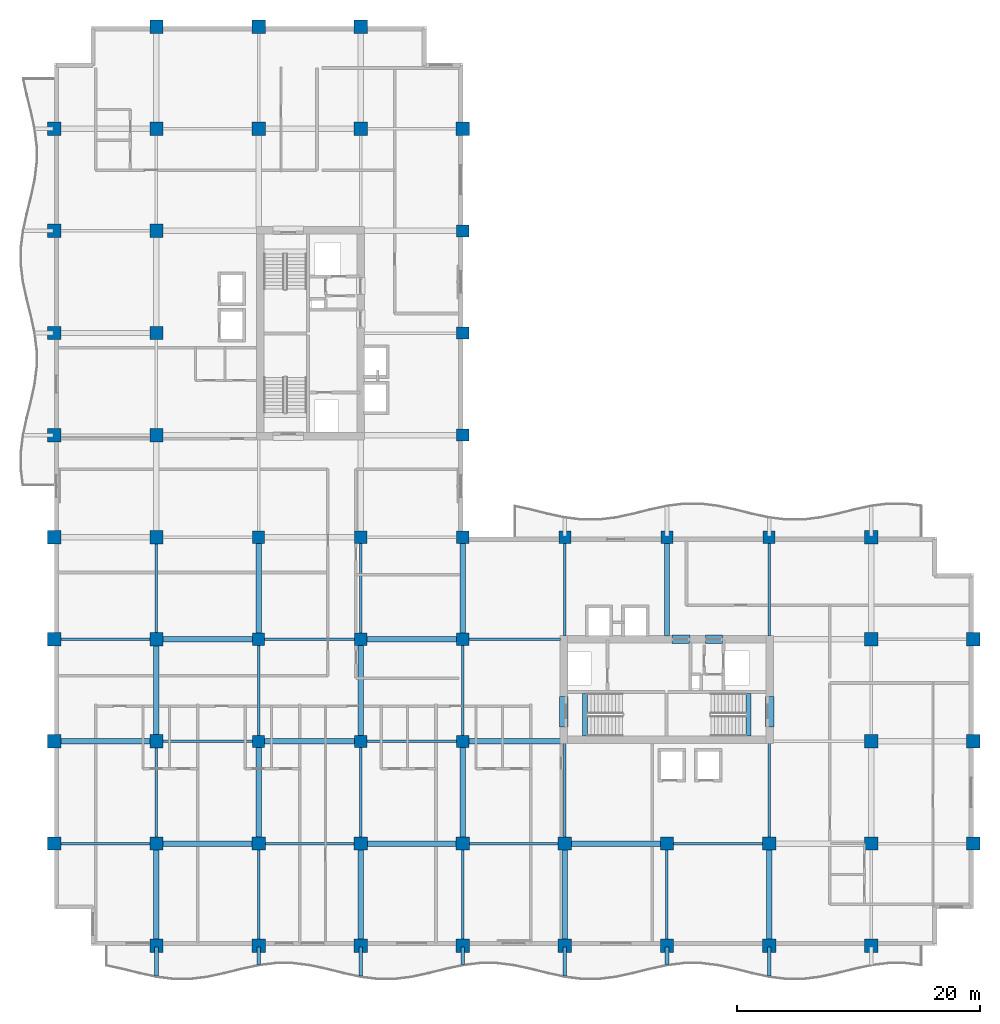
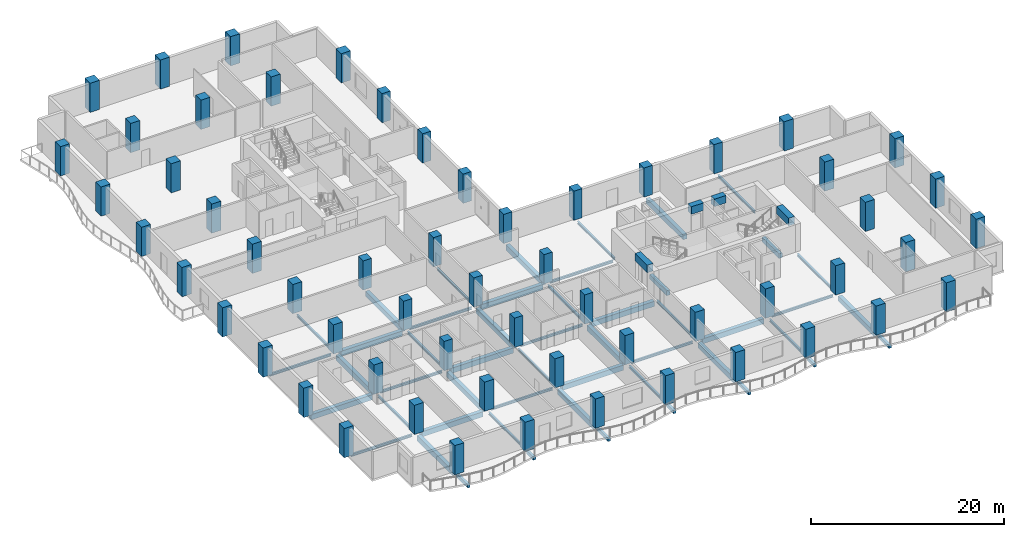
# One storey, part 1 of 14: 58 columns, 54 beams.
"""IFC4 building model written with IfcOpenShell, lengths in metres."""

from ifc_helpers import new_model, si_unit, direction, frame, origin, origin_2d, place, context, subcontext, project, spatial, rectangle, i_section, extrude, material, material_profile, profile_set, type_object, element, save


model = new_model("IFC4")

# Units and contexts
model_context = context("Model", 3, precision=1e-05, world=origin(), true_north=direction((0.0, 1.0)))
body_context = subcontext(model_context, "Body", "Model", "MODEL_VIEW")
ifc_project = project(units=[si_unit("LENGTHUNIT", "METRE"), si_unit("AREAUNIT", "SQUARE_METRE"), si_unit("VOLUMEUNIT", "CUBIC_METRE"), si_unit("PLANEANGLEUNIT", "RADIAN"), si_unit("MASSUNIT", "GRAM", prefix="KILO")], contexts=[model_context])

# Site, building, storey
site_placement = place(None, origin())
site = spatial("IfcSite", under=ifc_project, at=site_placement, CompositionType="ELEMENT")
building_placement = place(site_placement, origin())
building = spatial("IfcBuilding", under=site, at=building_placement, Name="Koriwani Terraces Tower", CompositionType="ELEMENT")
storey_placement = place(building_placement, frame((0.0, 0.0, 201.300048828125)))
storey = spatial("IfcBuildingStorey", under=building, at=storey_placement, Name="L49", CompositionType="ELEMENT", Elevation=201.300048828125)

# Columns
ifc_material_1 = material(Name="Concrete C50/60", Category="concrete")
ifc_material_profile_1 = material_profile(ifc_material_1, rectangle(XDim=1.0, YDim=1.0, at=origin_2d()), Name="Concrete C50/60", Category="LoadBearing")
ifc_profile_set_1 = profile_set([ifc_material_profile_1], Name="Concrete C50/60")
column_type_1 = type_object("IfcColumnType", Name="COL_RC_1000X1000", PredefinedType="COLUMN", material=ifc_profile_set_1)
for number, where, z_axis, x_axis, name in (
    (1, (16.800048828125, 16.800048828125, 0.0), (0.0, 0.0, 1.0), (1.0, 0.0, 0.0), "L49 Column 3/C"),
    (2, (16.800048828125, 25.199951171875, 0.0), (0.0, 0.0, 1.0), (1.0, 0.0, 0.0), "L49 Column 3/D"),
    (3, (16.800048828125, 33.60009765625, 0.0), (0.0, 0.0, 1.0), (1.0, 0.0, 0.0), "L49 Column 3/E"),
    (4, (25.199951171875, 16.800048828125, 0.0), (0.0, 0.0, 1.0), (1.0, 0.0, 0.0), "L49 Column 4/C"),
    (5, (25.199951171875, 25.199951171875, 0.0), (0.0, 0.0, 1.0), (1.0, 0.0, 0.0), "L49 Column 4/D"),
    (6, (25.199951171875, 33.60009765625, 0.0), (0.0, 0.0, 1.0), (1.0, 0.0, 0.0), "L49 Column 4/E"),
    (7, (33.60009765625, 16.800048828125, 0.0), (0.0, 0.0, 1.0), (1.0, 0.0, 0.0), "L49 Column 5/C"),
    (8, (33.60009765625, 25.199951171875, 0.0), (0.0, 0.0, 1.0), (1.0, 0.0, 0.0), "L49 Column 5/D"),
    (9, (33.60009765625, 33.60009765625, 0.0), (0.0, 0.0, 1.0), (1.0, 0.0, 0.0), "L49 Column 5/E"),
    (10, (33.60009765625, 42.0, 0.0), (0.0, 0.0, 1.0), (1.0, 0.0, 0.0), "L49 Column 5/F"),
    (11, (33.60009765625, 50.39990234375, 0.0), (0.0, 0.0, 1.0), (1.0, 0.0, 0.0), "L49 Column 5/G"),
    (12, (33.60009765625, 58.800048828125, 0.0), (0.0, 0.0, 1.0), (1.0, 0.0, 0.0), "L49 Column 5/H"),
    (13, (42.0, 33.60009765625, 0.0), (0.0, 0.0, 1.0), (1.0, 0.0, 0.0), "L49 Column 6/E"),
    (14, (50.39990234375, 33.60009765625, 0.0), (0.0, 0.0, 1.0), (1.0, 0.0, 0.0), "L49 Column 7/E"),
    (15, (58.800048828125, 33.60009765625, 0.0), (0.0, 0.0, 1.0), (1.0, 0.0, 0.0), "L49 Column 8/E"),
):
    element("IfcColumn", number, at=place(storey_placement, frame(where, z_axis=z_axis, x_axis=x_axis)), inside=storey, type_object=column_type_1, Name=name, PredefinedType="COLUMN", context=body_context, shape_type="SweptSolid", body=[
        extrude(rectangle(XDim=1.0, YDim=1.0, at=origin_2d()), origin(), (0.0, 0.0, 1.0), 3.699951171875),
    ])
ifc_material_profile_2 = material_profile(ifc_material_1, rectangle(XDim=1.10009765625, YDim=1.10009765625, at=origin_2d()), Name="Concrete C50/60", Category="LoadBearing")
ifc_profile_set_2 = profile_set([ifc_material_profile_2], Name="Concrete C50/60")
column_type_2 = type_object("IfcColumnType", Name="COL_RC_1100X1100", PredefinedType="COLUMN", material=ifc_profile_set_2)
for number, where, z_axis, x_axis, name in (
    (16, (0.0, 8.39990234375, 0.0), (0.0, 0.0, 1.0), (1.0, 0.0, 0.0), "L49 Column 1/B"),
    (17, (0.0, 16.800048828125, 0.0), (0.0, 0.0, 1.0), (1.0, 0.0, 0.0), "L49 Column 1/C"),
    (18, (0.0, 25.199951171875, 0.0), (0.0, 0.0, 1.0), (1.0, 0.0, 0.0), "L49 Column 1/D"),
    (19, (0.0, 33.60009765625, 0.0), (0.0, 0.0, 1.0), (1.0, 0.0, 0.0), "L49 Column 1/E"),
    (20, (0.0, 42.0, 0.0), (0.0, 0.0, 1.0), (1.0, 0.0, 0.0), "L49 Column 1/F"),
    (21, (0.0, 50.39990234375, 0.0), (0.0, 0.0, 1.0), (1.0, 0.0, 0.0), "L49 Column 1/G"),
    (22, (0.0, 58.800048828125, 0.0), (0.0, 0.0, 1.0), (1.0, 0.0, 0.0), "L49 Column 1/H"),
    (23, (0.0, 67.199951171875, 0.0), (0.0, 0.0, 1.0), (1.0, 0.0, 0.0), "L49 Column 1/I"),
    (24, (8.39990234375, 0.0, 0.0), (0.0, 0.0, 1.0), (1.0, 0.0, 0.0), "L49 Column 2/A"),
    (25, (8.39990234375, 8.39990234375, 0.0), (0.0, 0.0, 1.0), (1.0, 0.0, 0.0), "L49 Column 2/B"),
    (26, (8.39990234375, 16.800048828125, 0.0), (0.0, 0.0, 1.0), (1.0, 0.0, 0.0), "L49 Column 2/C"),
    (27, (8.39990234375, 25.199951171875, 0.0), (0.0, 0.0, 1.0), (1.0, 0.0, 0.0), "L49 Column 2/D"),
    (28, (8.39990234375, 33.60009765625, 0.0), (0.0, 0.0, 1.0), (1.0, 0.0, 0.0), "L49 Column 2/E"),
    (29, (8.39990234375, 42.0, 0.0), (0.0, 0.0, 1.0), (1.0, 0.0, 0.0), "L49 Column 2/F"),
    (30, (8.39990234375, 50.39990234375, 0.0), (0.0, 0.0, 1.0), (1.0, 0.0, 0.0), "L49 Column 2/G"),
    (31, (8.39990234375, 58.800048828125, 0.0), (0.0, 0.0, 1.0), (1.0, 0.0, 0.0), "L49 Column 2/H"),
    (32, (8.39990234375, 67.199951171875, 0.0), (0.0, 0.0, 1.0), (1.0, 0.0, 0.0), "L49 Column 2/I"),
    (33, (8.39990234375, 75.60009765625, 0.0), (0.0, 0.0, 1.0), (1.0, 0.0, 0.0), "L49 Column 2/J"),
    (34, (16.800048828125, 0.0, 0.0), (0.0, 0.0, 1.0), (1.0, 0.0, 0.0), "L49 Column 3/A"),
    (35, (16.800048828125, 8.39990234375, 0.0), (0.0, 0.0, 1.0), (1.0, 0.0, 0.0), "L49 Column 3/B"),
    (36, (16.800048828125, 67.199951171875, 0.0), (0.0, 0.0, 1.0), (1.0, 0.0, 0.0), "L49 Column 3/I"),
    (37, (16.800048828125, 75.60009765625, 0.0), (0.0, 0.0, 1.0), (1.0, 0.0, 0.0), "L49 Column 3/J"),
    (38, (25.199951171875, 0.0, 0.0), (0.0, 0.0, 1.0), (1.0, 0.0, 0.0), "L49 Column 4/A"),
    (39, (25.199951171875, 8.39990234375, 0.0), (0.0, 0.0, 1.0), (1.0, 0.0, 0.0), "L49 Column 4/B"),
    (40, (25.199951171875, 67.199951171875, 0.0), (0.0, 0.0, 1.0), (1.0, 0.0, 0.0), "L49 Column 4/I"),
    (41, (25.199951171875, 75.60009765625, 0.0), (0.0, 0.0, 1.0), (1.0, 0.0, 0.0), "L49 Column 4/J"),
    (42, (33.60009765625, 0.0, 0.0), (0.0, 0.0, 1.0), (1.0, 0.0, 0.0), "L49 Column 5/A"),
    (43, (33.60009765625, 8.39990234375, 0.0), (0.0, 0.0, 1.0), (1.0, 0.0, 0.0), "L49 Column 5/B"),
    (44, (33.60009765625, 67.199951171875, 0.0), (0.0, 0.0, 1.0), (1.0, 0.0, 0.0), "L49 Column 5/I"),
    (45, (42.0, 0.0, 0.0), (0.0, 0.0, 1.0), (1.0, 0.0, 0.0), "L49 Column 6/A"),
    (46, (42.0, 8.39990234375, 0.0), (0.0, 0.0, 1.0), (1.0, 0.0, 0.0), "L49 Column 6/B"),
    (47, (50.39990234375, 0.0, 0.0), (0.0, 0.0, 1.0), (1.0, 0.0, 0.0), "L49 Column 7/A"),
    (48, (50.39990234375, 8.39990234375, 0.0), (0.0, 0.0, 1.0), (1.0, 0.0, 0.0), "L49 Column 7/B"),
    (49, (58.800048828125, 0.0, 0.0), (0.0, 0.0, 1.0), (1.0, 0.0, 0.0), "L49 Column 8/A"),
    (50, (58.800048828125, 8.39990234375, 0.0), (0.0, 0.0, 1.0), (1.0, 0.0, 0.0), "L49 Column 8/B"),
    (51, (67.199951171875, 0.0, 0.0), (0.0, 0.0, 1.0), (1.0, 0.0, 0.0), "L49 Column 9/A"),
    (52, (67.199951171875, 8.39990234375, 0.0), (0.0, 0.0, 1.0), (1.0, 0.0, 0.0), "L49 Column 9/B"),
    (53, (67.199951171875, 16.800048828125, 0.0), (0.0, 0.0, 1.0), (1.0, 0.0, 0.0), "L49 Column 9/C"),
    (54, (67.199951171875, 25.199951171875, 0.0), (0.0, 0.0, 1.0), (1.0, 0.0, 0.0), "L49 Column 9/D"),
    (55, (67.199951171875, 33.60009765625, 0.0), (0.0, 0.0, 1.0), (1.0, 0.0, 0.0), "L49 Column 9/E"),
    (56, (75.60009765625, 8.39990234375, 0.0), (0.0, 0.0, 1.0), (1.0, 0.0, 0.0), "L49 Column 10/B"),
    (57, (75.60009765625, 16.800048828125, 0.0), (0.0, 0.0, 1.0), (1.0, 0.0, 0.0), "L49 Column 10/C"),
    (58, (75.60009765625, 25.199951171875, 0.0), (0.0, 0.0, 1.0), (1.0, 0.0, 0.0), "L49 Column 10/D"),
):
    element("IfcColumn", number, at=place(storey_placement, frame(where, z_axis=z_axis, x_axis=x_axis)), inside=storey, type_object=column_type_2, Name=name, PredefinedType="COLUMN", context=body_context, shape_type="SweptSolid", body=[
        extrude(rectangle(XDim=1.10009765625, YDim=1.10009765625, at=origin_2d()), origin(), (0.0, 0.0, 1.0), 3.699951171875),
    ])

# Beams
ifc_material_2 = material(Name="Concrete C40/50", Category="concrete")
ifc_material_profile_3 = material_profile(ifc_material_2, rectangle(XDim=0.300048828125, YDim=0.39990234375, at=origin_2d()), Name="Concrete C40/50", Category="LoadBearing")
ifc_profile_set_3 = profile_set([ifc_material_profile_3], Name="Concrete C40/50")
beam_type_1 = type_object("IfcBeamType", Name="BEAM_RC_BALCONY_RIB_300X400", PredefinedType="JOIST", material=ifc_profile_set_3)
beam_1_placement = place(storey_placement, frame((8.39990234375, -2.502197265625, -0.429931640625), z_axis=(0.0, 1.0, 0.0), x_axis=(-1.0, 0.0, 0.0)))
element("IfcBeam", 59, at=beam_1_placement, inside=storey, type_object=beam_type_1, Name="L49 Balcony Bracket Rib S-1", PredefinedType="JOIST", context=body_context, shape_type="SweptSolid", body=[
    extrude(rectangle(XDim=0.300048828125, YDim=0.39990234375, at=origin_2d()), origin(), (0.0, 0.0, 1.0), 2.402099609375),
])
beam_2_placement = place(storey_placement, frame((16.800048828125, -1.547607421875, -0.429931640625), z_axis=(0.0, 1.0, 0.0), x_axis=(-1.0, 0.0, 0.0)))
element("IfcBeam", 60, at=beam_2_placement, inside=storey, type_object=beam_type_1, Name="L49 Balcony Bracket Rib S-2", PredefinedType="JOIST", context=body_context, shape_type="SweptSolid", body=[
    extrude(rectangle(XDim=0.300048828125, YDim=0.39990234375, at=origin_2d()), origin(), (0.0, 0.0, 1.0), 1.447509765625),
])
beam_3_placement = place(storey_placement, frame((25.199951171875, -2.502197265625, -0.429931640625), z_axis=(0.0, 1.0, 0.0), x_axis=(-1.0, 0.0, 0.0)))
element("IfcBeam", 61, at=beam_3_placement, inside=storey, type_object=beam_type_1, Name="L49 Balcony Bracket Rib S-3", PredefinedType="JOIST", context=body_context, shape_type="SweptSolid", body=[
    extrude(rectangle(XDim=0.300048828125, YDim=0.39990234375, at=origin_2d()), origin(), (0.0, 0.0, 1.0), 2.402099609375),
])
beam_4_placement = place(storey_placement, frame((33.60009765625, -1.547607421875, -0.429931640625), z_axis=(0.0, 1.0, 0.0), x_axis=(-1.0, 0.0, 0.0)))
element("IfcBeam", 62, at=beam_4_placement, inside=storey, type_object=beam_type_1, Name="L49 Balcony Bracket Rib S-4", PredefinedType="JOIST", context=body_context, shape_type="SweptSolid", body=[
    extrude(rectangle(XDim=0.300048828125, YDim=0.39990234375, at=origin_2d()), origin(), (0.0, 0.0, 1.0), 1.447509765625),
])
beam_5_placement = place(storey_placement, frame((42.0, -2.502197265625, -0.429931640625), z_axis=(0.0, 1.0, 0.0), x_axis=(-1.0, 0.0, 0.0)))
element("IfcBeam", 63, at=beam_5_placement, inside=storey, type_object=beam_type_1, Name="L49 Balcony Bracket Rib S-5", PredefinedType="JOIST", context=body_context, shape_type="SweptSolid", body=[
    extrude(rectangle(XDim=0.300048828125, YDim=0.39990234375, at=origin_2d()), origin(), (0.0, 0.0, 1.0), 2.402099609375),
])
beam_6_placement = place(storey_placement, frame((50.39990234375, -1.547607421875, -0.429931640625), z_axis=(0.0, 1.0, 0.0), x_axis=(-1.0, 0.0, 0.0)))
element("IfcBeam", 64, at=beam_6_placement, inside=storey, type_object=beam_type_1, Name="L49 Balcony Bracket Rib S-6", PredefinedType="JOIST", context=body_context, shape_type="SweptSolid", body=[
    extrude(rectangle(XDim=0.300048828125, YDim=0.39990234375, at=origin_2d()), origin(), (0.0, 0.0, 1.0), 1.447509765625),
])
beam_7_placement = place(storey_placement, frame((58.800048828125, -2.502197265625, -0.429931640625), z_axis=(0.0, 1.0, 0.0), x_axis=(-1.0, 0.0, 0.0)))
element("IfcBeam", 65, at=beam_7_placement, inside=storey, type_object=beam_type_1, Name="L49 Balcony Bracket Rib S-7", PredefinedType="JOIST", context=body_context, shape_type="SweptSolid", body=[
    extrude(rectangle(XDim=0.300048828125, YDim=0.39990234375, at=origin_2d()), origin(), (0.0, 0.0, 1.0), 2.402099609375),
])
ifc_material_3 = material(Name="Concrete C60/75", Category="concrete")
ifc_material_profile_4 = material_profile(ifc_material_3, rectangle(XDim=0.699951171875, YDim=0.949951171875, at=origin_2d()), Name="Concrete C60/75", Category="LoadBearing")
ifc_profile_set_4 = profile_set([ifc_material_profile_4], Name="Concrete C60/75")
beam_type_2 = type_object("IfcBeamType", Name="BEAM_RC_COUPLING_700X950", PredefinedType="LINTEL", material=ifc_profile_set_4)
beam_8_placement = place(storey_placement, frame((50.800048828125, 25.199951171875, 2.994873046875), z_axis=(1.0, 0.0, 0.0), x_axis=(0.0, 1.0, 0.0)))
element("IfcBeam", 66, at=beam_8_placement, inside=storey, type_object=beam_type_2, Name="L49 Core Coupling Lintel Beam EN1", PredefinedType="LINTEL", context=body_context, shape_type="SweptSolid", body=[
    extrude(rectangle(XDim=0.699951171875, YDim=0.949951171875, at=origin_2d()), origin(), (0.0, 0.0, 1.0), 1.47998046875),
])
beam_9_placement = place(storey_placement, frame((53.550048828125, 25.199951171875, 2.994873046875), z_axis=(1.0, 0.0, 0.0), x_axis=(0.0, 1.0, 0.0)))
element("IfcBeam", 67, at=beam_9_placement, inside=storey, type_object=beam_type_2, Name="L49 Core Coupling Lintel Beam EN2", PredefinedType="LINTEL", context=body_context, shape_type="SweptSolid", body=[
    extrude(rectangle(XDim=0.699951171875, YDim=0.949951171875, at=origin_2d()), origin(), (0.0, 0.0, 1.0), 1.39990234375),
])
for number, where, z_axis, x_axis, name in (
    (68, (41.89990234375, 18.0, 2.994873046875), (0.0, 1.0, 0.0), (-1.0, 0.0, 0.0), "L49 Core Coupling Lintel Beam EW"),
    (69, (58.85009765625, 18.0, 2.994873046875), (0.0, 1.0, 0.0), (-1.0, 0.0, 0.0), "L49 Core Coupling Lintel Beam EE"),
):
    element("IfcBeam", number, at=place(storey_placement, frame(where, z_axis=z_axis, x_axis=x_axis)), inside=storey, type_object=beam_type_2, Name=name, PredefinedType="LINTEL", context=body_context, shape_type="SweptSolid", body=[
        extrude(rectangle(XDim=0.699951171875, YDim=0.949951171875, at=origin_2d()), origin(), (0.0, 0.0, 1.0), 2.5),
    ])
ifc_material_profile_5 = material_profile(ifc_material_2, rectangle(XDim=0.39990234375, YDim=0.60009765625, at=origin_2d()), Name="Concrete C40/50", Category="LoadBearing")
ifc_profile_set_5 = profile_set([ifc_material_profile_5], Name="Concrete C40/50")
beam_type_3 = type_object("IfcBeamType", Name="BEAM_RC_GRID_400X600", PredefinedType="BEAM", material=ifc_profile_set_5)
for number, where, z_axis, x_axis, name in (
    (70, (43.655029296875, 17.25, -0.300048828125), (0.0, 1.0, 0.0), (-1.0, 0.0, 0.0), "L49 Stairwell Header Trimmer Beam ST-E1"),
    (71, (57.094970703125, 17.25, -0.300048828125), (0.0, 1.0, 0.0), (-1.0, 0.0, 0.0), "L49 Stairwell Header Trimmer Beam ST-E2"),
):
    element("IfcBeam", number, at=place(storey_placement, frame(where, z_axis=z_axis, x_axis=x_axis)), inside=storey, type_object=beam_type_3, Name=name, PredefinedType="BEAM", context=body_context, shape_type="SweptSolid", body=[
        extrude(rectangle(XDim=0.39990234375, YDim=0.60009765625, at=origin_2d()), origin(), (0.0, 0.0, 1.0), 3.5),
    ])
ifc_material_profile_6 = material_profile(ifc_material_1, rectangle(XDim=0.449951171875, YDim=0.64990234375, at=origin_2d()), Name="Concrete C50/60", Category="LoadBearing")
ifc_profile_set_6 = profile_set([ifc_material_profile_6], Name="Concrete C50/60")
beam_type_4 = type_object("IfcBeamType", Name="BEAM_RC_GRID_450X650", PredefinedType="BEAM", material=ifc_profile_set_6)
for number, where, z_axis, x_axis, name in (
    (72, (8.929931640625, 8.39990234375, -0.554931640625), (1.0, 0.0, 0.0), (0.0, 1.0, 0.0), "L49 Grid Beam B (8.4-16.8m)"),
    (73, (25.72998046875, 8.39990234375, -0.554931640625), (1.0, 0.0, 0.0), (0.0, 1.0, 0.0), "L49 Grid Beam B (25.2-33.6m)"),
    (74, (42.530029296875, 8.39990234375, -0.554931640625), (1.0, 0.0, 0.0), (0.0, 1.0, 0.0), "L49 Grid Beam B (42.0-50.4m)"),
    (75, (0.530029296875, 16.800048828125, -0.554931640625), (1.0, 0.0, 0.0), (0.0, 1.0, 0.0), "L49 Grid Beam C (0.0-8.4m)"),
):
    element("IfcBeam", number, at=place(storey_placement, frame(where, z_axis=z_axis, x_axis=x_axis)), inside=storey, type_object=beam_type_4, Name=name, PredefinedType="BEAM", context=body_context, shape_type="SweptSolid", body=[
        extrude(rectangle(XDim=0.449951171875, YDim=0.64990234375, at=origin_2d()), origin(), (0.0, 0.0, 1.0), 7.340087890625),
    ])
beam_10_placement = place(storey_placement, frame((17.280029296875, 16.800048828125, -0.554931640625), z_axis=(1.0, 0.0, 0.0), x_axis=(0.0, 1.0, 0.0)))
element("IfcBeam", 76, at=beam_10_placement, inside=storey, type_object=beam_type_4, Name="L49 Grid Beam C (16.8-25.2m)", PredefinedType="BEAM", context=body_context, shape_type="SweptSolid", body=[
    extrude(rectangle(XDim=0.449951171875, YDim=0.64990234375, at=origin_2d()), origin(), (0.0, 0.0, 1.0), 7.43994140625),
])
beam_11_placement = place(storey_placement, frame((34.080078125, 16.800048828125, -0.554931640625), z_axis=(1.0, 0.0, 0.0), x_axis=(0.0, 1.0, 0.0)))
element("IfcBeam", 77, at=beam_11_placement, inside=storey, type_object=beam_type_4, Name="L49 Grid Beam C (33.6-42.0m)", PredefinedType="BEAM", context=body_context, shape_type="SweptSolid", body=[
    extrude(rectangle(XDim=0.449951171875, YDim=0.64990234375, at=origin_2d()), origin(), (0.0, 0.0, 1.0), 7.5400390625),
])
beam_12_placement = place(storey_placement, frame((8.929931640625, 25.199951171875, -0.554931640625), z_axis=(1.0, 0.0, 0.0), x_axis=(0.0, 1.0, 0.0)))
element("IfcBeam", 78, at=beam_12_placement, inside=storey, type_object=beam_type_4, Name="L49 Grid Beam D (8.4-16.8m)", PredefinedType="BEAM", context=body_context, shape_type="SweptSolid", body=[
    extrude(rectangle(XDim=0.449951171875, YDim=0.64990234375, at=origin_2d()), origin(), (0.0, 0.0, 1.0), 7.39013671875),
])
beam_13_placement = place(storey_placement, frame((25.679931640625, 25.199951171875, -0.554931640625), z_axis=(1.0, 0.0, 0.0), x_axis=(0.0, 1.0, 0.0)))
element("IfcBeam", 79, at=beam_13_placement, inside=storey, type_object=beam_type_4, Name="L49 Grid Beam D (25.2-33.6m)", PredefinedType="BEAM", context=body_context, shape_type="SweptSolid", body=[
    extrude(rectangle(XDim=0.449951171875, YDim=0.64990234375, at=origin_2d()), origin(), (0.0, 0.0, 1.0), 7.440185546875),
])
beam_14_placement = place(storey_placement, frame((8.39990234375, 0.530029296875, -0.554931640625), z_axis=(0.0, 1.0, 0.0), x_axis=(-1.0, 0.0, 0.0)))
element("IfcBeam", 80, at=beam_14_placement, inside=storey, type_object=beam_type_4, Name="L49 Grid Beam 2 (0.0-8.4m)", PredefinedType="BEAM", context=body_context, shape_type="SweptSolid", body=[
    extrude(rectangle(XDim=0.449951171875, YDim=0.64990234375, at=origin_2d()), origin(), (0.0, 0.0, 1.0), 7.340087890625),
])
beam_15_placement = place(storey_placement, frame((8.39990234375, 17.330078125, -0.554931640625), z_axis=(0.0, 1.0, 0.0), x_axis=(-1.0, 0.0, 0.0)))
element("IfcBeam", 81, at=beam_15_placement, inside=storey, type_object=beam_type_4, Name="L49 Grid Beam 2 (16.8-25.2m)", PredefinedType="BEAM", context=body_context, shape_type="SweptSolid", body=[
    extrude(rectangle(XDim=0.449951171875, YDim=0.64990234375, at=origin_2d()), origin(), (0.0, 0.0, 1.0), 7.33984375),
])
beam_16_placement = place(storey_placement, frame((16.800048828125, 8.929931640625, -0.554931640625), z_axis=(0.0, 1.0, 0.0), x_axis=(-1.0, 0.0, 0.0)))
element("IfcBeam", 82, at=beam_16_placement, inside=storey, type_object=beam_type_4, Name="L49 Grid Beam 3 (8.4-16.8m)", PredefinedType="BEAM", context=body_context, shape_type="SweptSolid", body=[
    extrude(rectangle(XDim=0.449951171875, YDim=0.64990234375, at=origin_2d()), origin(), (0.0, 0.0, 1.0), 7.39013671875),
])
beam_17_placement = place(storey_placement, frame((16.800048828125, 25.679931640625, -0.554931640625), z_axis=(0.0, 1.0, 0.0), x_axis=(-1.0, 0.0, 0.0)))
element("IfcBeam", 83, at=beam_17_placement, inside=storey, type_object=beam_type_4, Name="L49 Grid Beam 3 (25.2-33.6m)", PredefinedType="BEAM", context=body_context, shape_type="SweptSolid", body=[
    extrude(rectangle(XDim=0.449951171875, YDim=0.64990234375, at=origin_2d()), origin(), (0.0, 0.0, 1.0), 7.440185546875),
])
beam_18_placement = place(storey_placement, frame((25.199951171875, 0.530029296875, -0.554931640625), z_axis=(0.0, 1.0, 0.0), x_axis=(-1.0, 0.0, 0.0)))
element("IfcBeam", 84, at=beam_18_placement, inside=storey, type_object=beam_type_4, Name="L49 Grid Beam 4 (0.0-8.4m)", PredefinedType="BEAM", context=body_context, shape_type="SweptSolid", body=[
    extrude(rectangle(XDim=0.449951171875, YDim=0.64990234375, at=origin_2d()), origin(), (0.0, 0.0, 1.0), 7.340087890625),
])
beam_19_placement = place(storey_placement, frame((25.199951171875, 17.280029296875, -0.554931640625), z_axis=(0.0, 1.0, 0.0), x_axis=(-1.0, 0.0, 0.0)))
element("IfcBeam", 85, at=beam_19_placement, inside=storey, type_object=beam_type_4, Name="L49 Grid Beam 4 (16.8-25.2m)", PredefinedType="BEAM", context=body_context, shape_type="SweptSolid", body=[
    extrude(rectangle(XDim=0.449951171875, YDim=0.64990234375, at=origin_2d()), origin(), (0.0, 0.0, 1.0), 7.43994140625),
])
beam_20_placement = place(storey_placement, frame((33.60009765625, 8.929931640625, -0.554931640625), z_axis=(0.0, 1.0, 0.0), x_axis=(-1.0, 0.0, 0.0)))
element("IfcBeam", 86, at=beam_20_placement, inside=storey, type_object=beam_type_4, Name="L49 Grid Beam 5 (8.4-16.8m)", PredefinedType="BEAM", context=body_context, shape_type="SweptSolid", body=[
    extrude(rectangle(XDim=0.449951171875, YDim=0.64990234375, at=origin_2d()), origin(), (0.0, 0.0, 1.0), 7.39013671875),
])
beam_21_placement = place(storey_placement, frame((33.60009765625, 25.679931640625, -0.554931640625), z_axis=(0.0, 1.0, 0.0), x_axis=(-1.0, 0.0, 0.0)))
element("IfcBeam", 87, at=beam_21_placement, inside=storey, type_object=beam_type_4, Name="L49 Grid Beam 5 (25.2-33.6m)", PredefinedType="BEAM", context=body_context, shape_type="SweptSolid", body=[
    extrude(rectangle(XDim=0.449951171875, YDim=0.64990234375, at=origin_2d()), origin(), (0.0, 0.0, 1.0), 7.440185546875),
])
beam_22_placement = place(storey_placement, frame((42.0, 0.530029296875, -0.554931640625), z_axis=(0.0, 1.0, 0.0), x_axis=(-1.0, 0.0, 0.0)))
element("IfcBeam", 88, at=beam_22_placement, inside=storey, type_object=beam_type_4, Name="L49 Grid Beam 6 (0.0-8.4m)", PredefinedType="BEAM", context=body_context, shape_type="SweptSolid", body=[
    extrude(rectangle(XDim=0.449951171875, YDim=0.64990234375, at=origin_2d()), origin(), (0.0, 0.0, 1.0), 7.340087890625),
])
beam_23_placement = place(storey_placement, frame((50.39990234375, 25.47998046875, -0.554931640625), z_axis=(0.0, 1.0, 0.0), x_axis=(-1.0, 0.0, 0.0)))
element("IfcBeam", 89, at=beam_23_placement, inside=storey, type_object=beam_type_4, Name="L49 Grid Beam 7 (25.2-33.6m)", PredefinedType="BEAM", context=body_context, shape_type="SweptSolid", body=[
    extrude(rectangle(XDim=0.449951171875, YDim=0.64990234375, at=origin_2d()), origin(), (0.0, 0.0, 1.0), 7.64013671875),
])
beam_24_placement = place(storey_placement, frame((58.800048828125, 0.530029296875, -0.554931640625), z_axis=(0.0, 1.0, 0.0), x_axis=(-1.0, 0.0, 0.0)))
element("IfcBeam", 90, at=beam_24_placement, inside=storey, type_object=beam_type_4, Name="L49 Grid Beam 8 (0.0-8.4m)", PredefinedType="BEAM", context=body_context, shape_type="SweptSolid", body=[
    extrude(rectangle(XDim=0.449951171875, YDim=0.64990234375, at=origin_2d()), origin(), (0.0, 0.0, 1.0), 7.340087890625),
])
ifc_material_4 = material(Name="Steel ASTM A572 Grade 50", Category="steel")
ifc_material_profile_7 = material_profile(ifc_material_4, i_section(OverallWidth=0.205078125, OverallDepth=0.31005859375, WebThickness=0.009521484375, FlangeThickness=0.016357421875, at=origin_2d()), Name="Steel ASTM A572 Grade 50", Category="LoadBearing")
ifc_profile_set_7 = profile_set([ifc_material_profile_7], Name="Steel ASTM A572 Grade 50")
beam_type_5 = type_object("IfcBeamType", Name="STEEL_BEAM_W310X74", PredefinedType="JOIST", material=ifc_profile_set_7)
beam_25_placement = place(storey_placement, frame((0.530029296875, 8.39990234375, -0.385009765625), z_axis=(1.0, 0.0, 0.0), x_axis=(0.0, 1.0, 0.0)))
element("IfcBeam", 91, at=beam_25_placement, inside=storey, type_object=beam_type_5, Name="L49 Grid Beam B (0.0-8.4m)", PredefinedType="JOIST", context=body_context, shape_type="SweptSolid", body=[
    extrude(i_section(OverallWidth=0.205078125, OverallDepth=0.31005859375, WebThickness=0.009521484375, FlangeThickness=0.016357421875, at=origin_2d()), origin(), (0.0, 0.0, 1.0), 7.340087890625),
])
beam_26_placement = place(storey_placement, frame((17.330078125, 8.39990234375, -0.385009765625), z_axis=(1.0, 0.0, 0.0), x_axis=(0.0, 1.0, 0.0)))
element("IfcBeam", 92, at=beam_26_placement, inside=storey, type_object=beam_type_5, Name="L49 Grid Beam B (16.8-25.2m)", PredefinedType="JOIST", context=body_context, shape_type="SweptSolid", body=[
    extrude(i_section(OverallWidth=0.205078125, OverallDepth=0.31005859375, WebThickness=0.009521484375, FlangeThickness=0.016357421875, at=origin_2d()), origin(), (0.0, 0.0, 1.0), 7.33984375),
])
for number, where, z_axis, x_axis, name in (
    (93, (34.1298828125, 8.39990234375, -0.385009765625), (1.0, 0.0, 0.0), (0.0, 1.0, 0.0), "L49 Grid Beam B (33.6-42.0m)"),
    (94, (50.929931640625, 8.39990234375, -0.385009765625), (1.0, 0.0, 0.0), (0.0, 1.0, 0.0), "L49 Grid Beam B (50.4-58.8m)"),
):
    element("IfcBeam", number, at=place(storey_placement, frame(where, z_axis=z_axis, x_axis=x_axis)), inside=storey, type_object=beam_type_5, Name=name, PredefinedType="JOIST", context=body_context, shape_type="SweptSolid", body=[
        extrude(i_section(OverallWidth=0.205078125, OverallDepth=0.31005859375, WebThickness=0.009521484375, FlangeThickness=0.016357421875, at=origin_2d()), origin(), (0.0, 0.0, 1.0), 7.340087890625),
    ])
beam_27_placement = place(storey_placement, frame((8.929931640625, 16.800048828125, -0.385009765625), z_axis=(1.0, 0.0, 0.0), x_axis=(0.0, 1.0, 0.0)))
element("IfcBeam", 95, at=beam_27_placement, inside=storey, type_object=beam_type_5, Name="L49 Grid Beam C (8.4-16.8m)", PredefinedType="JOIST", context=body_context, shape_type="SweptSolid", body=[
    extrude(i_section(OverallWidth=0.205078125, OverallDepth=0.31005859375, WebThickness=0.009521484375, FlangeThickness=0.016357421875, at=origin_2d()), origin(), (0.0, 0.0, 1.0), 7.39013671875),
])
beam_28_placement = place(storey_placement, frame((25.679931640625, 16.800048828125, -0.385009765625), z_axis=(1.0, 0.0, 0.0), x_axis=(0.0, 1.0, 0.0)))
element("IfcBeam", 96, at=beam_28_placement, inside=storey, type_object=beam_type_5, Name="L49 Grid Beam C (25.2-33.6m)", PredefinedType="JOIST", context=body_context, shape_type="SweptSolid", body=[
    extrude(i_section(OverallWidth=0.205078125, OverallDepth=0.31005859375, WebThickness=0.009521484375, FlangeThickness=0.016357421875, at=origin_2d()), origin(), (0.0, 0.0, 1.0), 7.440185546875),
])
beam_29_placement = place(storey_placement, frame((0.530029296875, 25.199951171875, -0.385009765625), z_axis=(1.0, 0.0, 0.0), x_axis=(0.0, 1.0, 0.0)))
element("IfcBeam", 97, at=beam_29_placement, inside=storey, type_object=beam_type_5, Name="L49 Grid Beam D (0.0-8.4m)", PredefinedType="JOIST", context=body_context, shape_type="SweptSolid", body=[
    extrude(i_section(OverallWidth=0.205078125, OverallDepth=0.31005859375, WebThickness=0.009521484375, FlangeThickness=0.016357421875, at=origin_2d()), origin(), (0.0, 0.0, 1.0), 7.340087890625),
])
beam_30_placement = place(storey_placement, frame((17.280029296875, 25.199951171875, -0.385009765625), z_axis=(1.0, 0.0, 0.0), x_axis=(0.0, 1.0, 0.0)))
element("IfcBeam", 98, at=beam_30_placement, inside=storey, type_object=beam_type_5, Name="L49 Grid Beam D (16.8-25.2m)", PredefinedType="JOIST", context=body_context, shape_type="SweptSolid", body=[
    extrude(i_section(OverallWidth=0.205078125, OverallDepth=0.31005859375, WebThickness=0.009521484375, FlangeThickness=0.016357421875, at=origin_2d()), origin(), (0.0, 0.0, 1.0), 7.43994140625),
])
beam_31_placement = place(storey_placement, frame((34.080078125, 25.199951171875, -0.385009765625), z_axis=(1.0, 0.0, 0.0), x_axis=(0.0, 1.0, 0.0)))
element("IfcBeam", 99, at=beam_31_placement, inside=storey, type_object=beam_type_5, Name="L49 Grid Beam D (33.6-42.0m)", PredefinedType="JOIST", context=body_context, shape_type="SweptSolid", body=[
    extrude(i_section(OverallWidth=0.205078125, OverallDepth=0.31005859375, WebThickness=0.009521484375, FlangeThickness=0.016357421875, at=origin_2d()), origin(), (0.0, 0.0, 1.0), 7.5400390625),
])
for number, where, z_axis, x_axis, name in (
    (100, (8.39990234375, 8.929931640625, -0.385009765625), (0.0, 1.0, 0.0), (-1.0, 0.0, 0.0), "L49 Grid Beam 2 (8.4-16.8m)"),
    (101, (8.39990234375, 25.72998046875, -0.385009765625), (0.0, 1.0, 0.0), (-1.0, 0.0, 0.0), "L49 Grid Beam 2 (25.2-33.6m)"),
    (102, (16.800048828125, 0.530029296875, -0.385009765625), (0.0, 1.0, 0.0), (-1.0, 0.0, 0.0), "L49 Grid Beam 3 (0.0-8.4m)"),
):
    element("IfcBeam", number, at=place(storey_placement, frame(where, z_axis=z_axis, x_axis=x_axis)), inside=storey, type_object=beam_type_5, Name=name, PredefinedType="JOIST", context=body_context, shape_type="SweptSolid", body=[
        extrude(i_section(OverallWidth=0.205078125, OverallDepth=0.31005859375, WebThickness=0.009521484375, FlangeThickness=0.016357421875, at=origin_2d()), origin(), (0.0, 0.0, 1.0), 7.340087890625),
    ])
beam_32_placement = place(storey_placement, frame((16.800048828125, 17.280029296875, -0.385009765625), z_axis=(0.0, 1.0, 0.0), x_axis=(-1.0, 0.0, 0.0)))
element("IfcBeam", 103, at=beam_32_placement, inside=storey, type_object=beam_type_5, Name="L49 Grid Beam 3 (16.8-25.2m)", PredefinedType="JOIST", context=body_context, shape_type="SweptSolid", body=[
    extrude(i_section(OverallWidth=0.205078125, OverallDepth=0.31005859375, WebThickness=0.009521484375, FlangeThickness=0.016357421875, at=origin_2d()), origin(), (0.0, 0.0, 1.0), 7.43994140625),
])
beam_33_placement = place(storey_placement, frame((25.199951171875, 8.929931640625, -0.385009765625), z_axis=(0.0, 1.0, 0.0), x_axis=(-1.0, 0.0, 0.0)))
element("IfcBeam", 104, at=beam_33_placement, inside=storey, type_object=beam_type_5, Name="L49 Grid Beam 4 (8.4-16.8m)", PredefinedType="JOIST", context=body_context, shape_type="SweptSolid", body=[
    extrude(i_section(OverallWidth=0.205078125, OverallDepth=0.31005859375, WebThickness=0.009521484375, FlangeThickness=0.016357421875, at=origin_2d()), origin(), (0.0, 0.0, 1.0), 7.39013671875),
])
beam_34_placement = place(storey_placement, frame((25.199951171875, 25.679931640625, -0.385009765625), z_axis=(0.0, 1.0, 0.0), x_axis=(-1.0, 0.0, 0.0)))
element("IfcBeam", 105, at=beam_34_placement, inside=storey, type_object=beam_type_5, Name="L49 Grid Beam 4 (25.2-33.6m)", PredefinedType="JOIST", context=body_context, shape_type="SweptSolid", body=[
    extrude(i_section(OverallWidth=0.205078125, OverallDepth=0.31005859375, WebThickness=0.009521484375, FlangeThickness=0.016357421875, at=origin_2d()), origin(), (0.0, 0.0, 1.0), 7.440185546875),
])
beam_35_placement = place(storey_placement, frame((33.60009765625, 0.530029296875, -0.385009765625), z_axis=(0.0, 1.0, 0.0), x_axis=(-1.0, 0.0, 0.0)))
element("IfcBeam", 106, at=beam_35_placement, inside=storey, type_object=beam_type_5, Name="L49 Grid Beam 5 (0.0-8.4m)", PredefinedType="JOIST", context=body_context, shape_type="SweptSolid", body=[
    extrude(i_section(OverallWidth=0.205078125, OverallDepth=0.31005859375, WebThickness=0.009521484375, FlangeThickness=0.016357421875, at=origin_2d()), origin(), (0.0, 0.0, 1.0), 7.340087890625),
])
beam_36_placement = place(storey_placement, frame((33.60009765625, 17.280029296875, -0.385009765625), z_axis=(0.0, 1.0, 0.0), x_axis=(-1.0, 0.0, 0.0)))
element("IfcBeam", 107, at=beam_36_placement, inside=storey, type_object=beam_type_5, Name="L49 Grid Beam 5 (16.8-25.2m)", PredefinedType="JOIST", context=body_context, shape_type="SweptSolid", body=[
    extrude(i_section(OverallWidth=0.205078125, OverallDepth=0.31005859375, WebThickness=0.009521484375, FlangeThickness=0.016357421875, at=origin_2d()), origin(), (0.0, 0.0, 1.0), 7.43994140625),
])
beam_37_placement = place(storey_placement, frame((42.0, 8.929931640625, -0.385009765625), z_axis=(0.0, 1.0, 0.0), x_axis=(-1.0, 0.0, 0.0)))
element("IfcBeam", 108, at=beam_37_placement, inside=storey, type_object=beam_type_5, Name="L49 Grid Beam 6 (8.4-16.8m)", PredefinedType="JOIST", context=body_context, shape_type="SweptSolid", body=[
    extrude(i_section(OverallWidth=0.205078125, OverallDepth=0.31005859375, WebThickness=0.009521484375, FlangeThickness=0.016357421875, at=origin_2d()), origin(), (0.0, 0.0, 1.0), 7.739990234375),
])
beam_38_placement = place(storey_placement, frame((42.0, 25.47998046875, -0.385009765625), z_axis=(0.0, 1.0, 0.0), x_axis=(-1.0, 0.0, 0.0)))
element("IfcBeam", 109, at=beam_38_placement, inside=storey, type_object=beam_type_5, Name="L49 Grid Beam 6 (25.2-33.6m)", PredefinedType="JOIST", context=body_context, shape_type="SweptSolid", body=[
    extrude(i_section(OverallWidth=0.205078125, OverallDepth=0.31005859375, WebThickness=0.009521484375, FlangeThickness=0.016357421875, at=origin_2d()), origin(), (0.0, 0.0, 1.0), 7.64013671875),
])
beam_39_placement = place(storey_placement, frame((50.39990234375, 0.530029296875, -0.385009765625), z_axis=(0.0, 1.0, 0.0), x_axis=(-1.0, 0.0, 0.0)))
element("IfcBeam", 110, at=beam_39_placement, inside=storey, type_object=beam_type_5, Name="L49 Grid Beam 7 (0.0-8.4m)", PredefinedType="JOIST", context=body_context, shape_type="SweptSolid", body=[
    extrude(i_section(OverallWidth=0.205078125, OverallDepth=0.31005859375, WebThickness=0.009521484375, FlangeThickness=0.016357421875, at=origin_2d()), origin(), (0.0, 0.0, 1.0), 7.340087890625),
])
beam_40_placement = place(storey_placement, frame((58.800048828125, 8.929931640625, -0.385009765625), z_axis=(0.0, 1.0, 0.0), x_axis=(-1.0, 0.0, 0.0)))
element("IfcBeam", 111, at=beam_40_placement, inside=storey, type_object=beam_type_5, Name="L49 Grid Beam 8 (8.4-16.8m)", PredefinedType="JOIST", context=body_context, shape_type="SweptSolid", body=[
    extrude(i_section(OverallWidth=0.205078125, OverallDepth=0.31005859375, WebThickness=0.009521484375, FlangeThickness=0.016357421875, at=origin_2d()), origin(), (0.0, 0.0, 1.0), 7.739990234375),
])
beam_41_placement = place(storey_placement, frame((58.800048828125, 25.47998046875, -0.385009765625), z_axis=(0.0, 1.0, 0.0), x_axis=(-1.0, 0.0, 0.0)))
element("IfcBeam", 112, at=beam_41_placement, inside=storey, type_object=beam_type_5, Name="L49 Grid Beam 8 (25.2-33.6m)", PredefinedType="JOIST", context=body_context, shape_type="SweptSolid", body=[
    extrude(i_section(OverallWidth=0.205078125, OverallDepth=0.31005859375, WebThickness=0.009521484375, FlangeThickness=0.016357421875, at=origin_2d()), origin(), (0.0, 0.0, 1.0), 7.64013671875),
])

save(model, "model.ifc")
